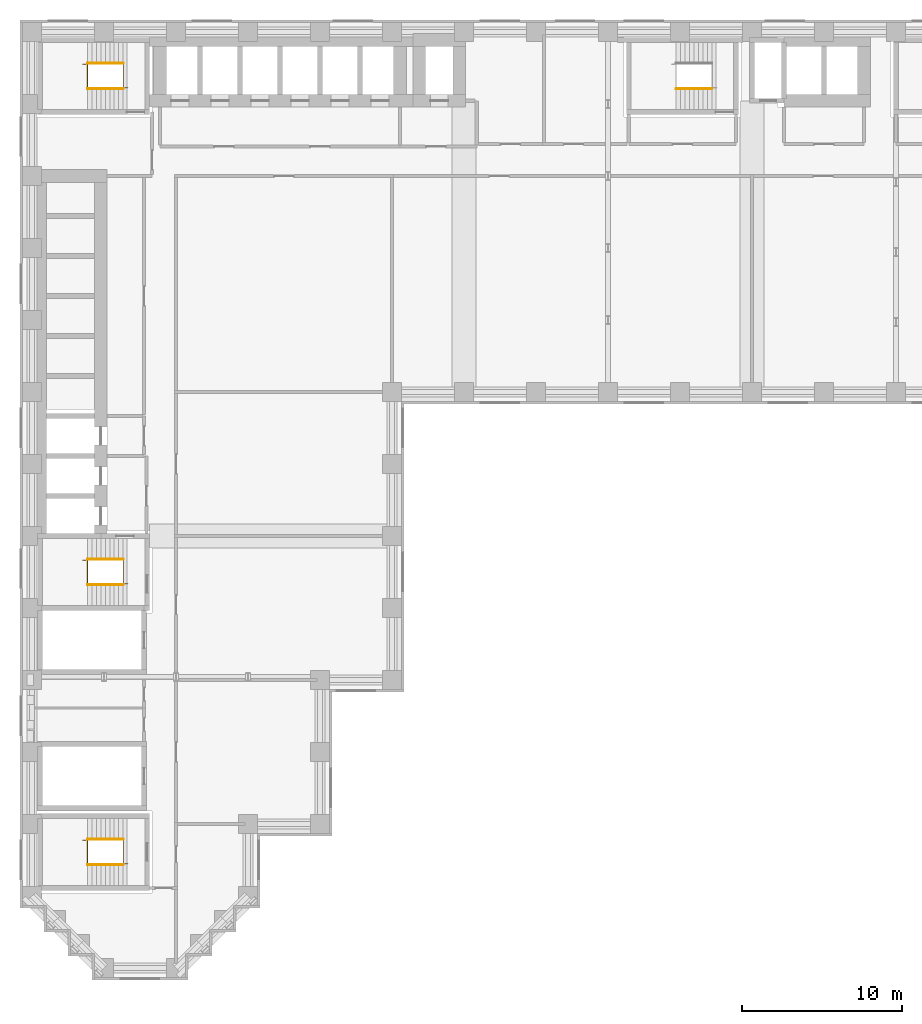
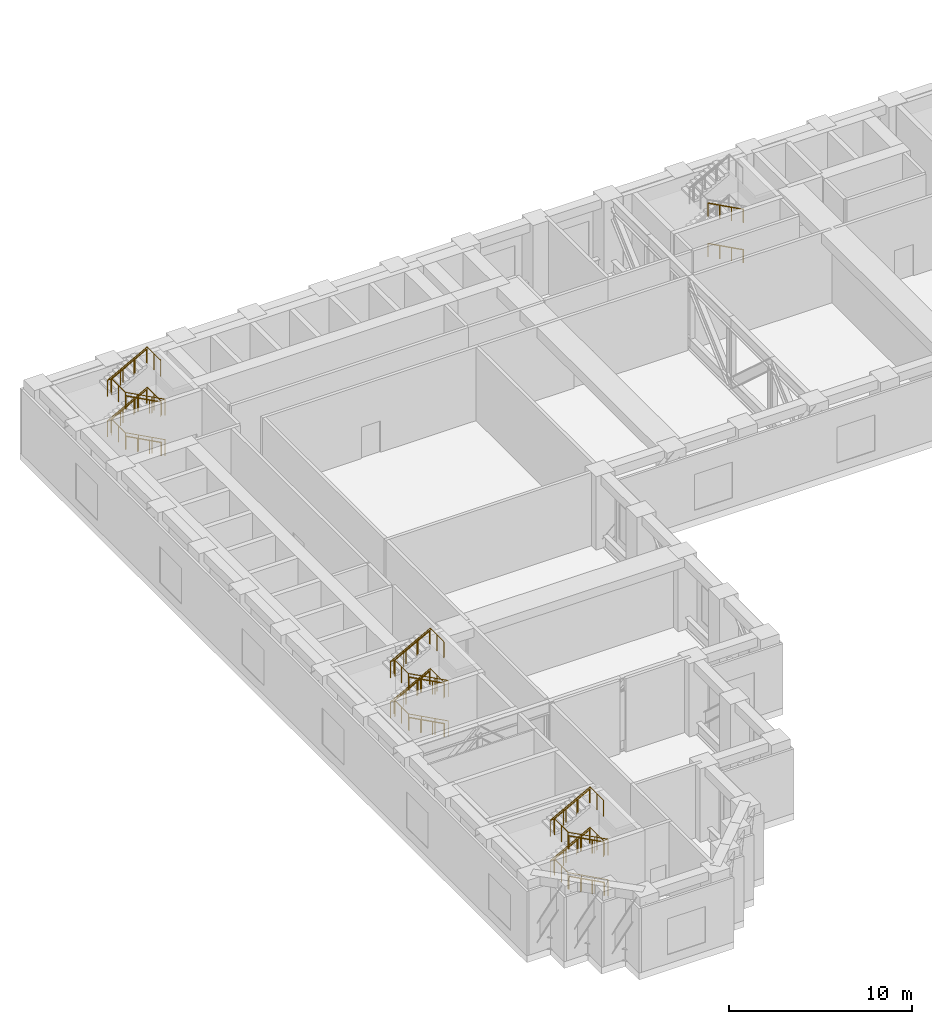
# One storey, part 11 of 13: 17 railings.
"""IFC4 building model written with IfcOpenShell, lengths in metres."""

from ifc_helpers import new_model, si_unit, direction, frame, origin, origin_2d, place, context, subcontext, project, spatial, circle, extrude, material, type_object, element, save


model = new_model("IFC4")

# Units and contexts
model_context = context("Model", 3, precision=1e-05, world=origin(), true_north=direction((0.0, 1.0)))
body_context = subcontext(model_context, "Body", "Model", "MODEL_VIEW")
ifc_project = project(units=[si_unit("LENGTHUNIT", "METRE"), si_unit("AREAUNIT", "SQUARE_METRE"), si_unit("VOLUMEUNIT", "CUBIC_METRE"), si_unit("PLANEANGLEUNIT", "RADIAN"), si_unit("MASSUNIT", "GRAM", prefix="KILO")], contexts=[model_context])

# Site, building, storey
site_placement = place(None, origin())
site = spatial("IfcSite", under=ifc_project, at=site_placement, CompositionType="ELEMENT")
building_placement = place(site_placement, origin())
building = spatial("IfcBuilding", under=site, at=building_placement, Name="Firuza Court", CompositionType="ELEMENT")
storey_placement = place(building_placement, frame((0.0, 0.0, 108.199951171875)))
storey = spatial("IfcBuildingStorey", under=building, at=storey_placement, Name="L27", CompositionType="ELEMENT", Elevation=108.199951171875)

# Railings
ifc_material_1 = material(Name="Steel S355", Category="steel")
railing_type_1 = type_object("IfcRailingType", Name="Handrail 900", PredefinedType="HANDRAIL", material=ifc_material_1)
for number, where, name in (
    (1, (42.5, 54.949951171875, 0.150146484375), "Handrail S1 flight 1"),
    (2, (42.5, 54.949951171875, 2.85009765625), "Handrail S1 flight 3"),
    (3, (5.699951171875, 23.949951171875, 0.150146484375), "Handrail S2 flight 1"),
):
    element("IfcRailing", number, at=place(storey_placement, frame(where)), inside=storey, type_object=railing_type_1, Name=name, PredefinedType="HANDRAIL", context=body_context, shape_type="SweptSolid", body=[
        extrude(circle(Radius=0.02490234375, at=origin_2d()), frame((0.0, 0.0, 0.875), z_axis=(-0.881487111273, 0.0, 0.472208081951), x_axis=(0.0, -1.0, 0.0)), (0.0, 0.0, 1.0), 2.541259765625),
        extrude(circle(Radius=0.02001953125, at=origin_2d()), origin(), (0.0, 0.0, 1.0), 0.849853515625),
        extrude(circle(Radius=0.02001953125, at=origin_2d()), frame((-0.74658203125, 0.0, 0.39990234375)), (0.0, 0.0, 1.0), 0.849853515625),
        extrude(circle(Radius=0.02001953125, at=origin_2d()), frame((-1.493408203125, 0.0, 0.800048828125)), (0.0, 0.0, 1.0), 0.849853515625),
        extrude(circle(Radius=0.02001953125, at=origin_2d()), frame((-2.239990234375, 0.0, 1.199951171875)), (0.0, 0.0, 1.0), 0.849853515625),
    ])
railing_1_placement = place(storey_placement, frame((3.4599609375, 25.550048828125, 1.5)))
element("IfcRailing", 4, at=railing_1_placement, inside=storey, type_object=railing_type_1, Name="Handrail S2 flight 2", PredefinedType="HANDRAIL", context=body_context, shape_type="SweptSolid", body=[
    extrude(circle(Radius=0.02490234375, at=origin_2d()), frame((0.0, 0.0, 0.875), z_axis=(0.881487111273, 0.0, 0.472208081951), x_axis=(0.0, 1.0, 0.0)), (0.0, 0.0, 1.0), 2.541259765625),
    extrude(circle(Radius=0.02001953125, at=origin_2d()), origin(), (0.0, 0.0, 1.0), 0.849853515625),
    extrude(circle(Radius=0.02001953125, at=origin_2d()), frame((0.74658203125, 0.0, 0.39990234375)), (0.0, 0.0, 1.0), 0.849853515625),
    extrude(circle(Radius=0.02001953125, at=origin_2d()), frame((1.493408203125, 0.0, 0.800048828125)), (0.0, 0.0, 1.0), 0.849853515625),
    extrude(circle(Radius=0.02001953125, at=origin_2d()), frame((2.239990234375, 0.0, 1.199951171875)), (0.0, 0.0, 1.0), 0.849853515625),
])
railing_2_placement = place(storey_placement, frame((5.699951171875, 23.949951171875, 2.85009765625)))
element("IfcRailing", 5, at=railing_2_placement, inside=storey, type_object=railing_type_1, Name="Handrail S2 flight 3", PredefinedType="HANDRAIL", context=body_context, shape_type="SweptSolid", body=[
    extrude(circle(Radius=0.02490234375, at=origin_2d()), frame((0.0, 0.0, 0.875), z_axis=(-0.881487111273, 0.0, 0.472208081951), x_axis=(0.0, -1.0, 0.0)), (0.0, 0.0, 1.0), 2.541259765625),
    extrude(circle(Radius=0.02001953125, at=origin_2d()), origin(), (0.0, 0.0, 1.0), 0.849853515625),
    extrude(circle(Radius=0.02001953125, at=origin_2d()), frame((-0.74658203125, 0.0, 0.39990234375)), (0.0, 0.0, 1.0), 0.849853515625),
    extrude(circle(Radius=0.02001953125, at=origin_2d()), frame((-1.493408203125, 0.0, 0.800048828125)), (0.0, 0.0, 1.0), 0.849853515625),
    extrude(circle(Radius=0.02001953125, at=origin_2d()), frame((-2.239990234375, 0.0, 1.199951171875)), (0.0, 0.0, 1.0), 0.849853515625),
])
railing_3_placement = place(storey_placement, frame((3.4599609375, 25.550048828125, 4.199951171875)))
element("IfcRailing", 6, at=railing_3_placement, inside=storey, type_object=railing_type_1, Name="Handrail S2 flight 4", PredefinedType="HANDRAIL", context=body_context, shape_type="SweptSolid", body=[
    extrude(circle(Radius=0.02490234375, at=origin_2d()), frame((0.0, 0.0, 0.875), z_axis=(0.881447119201, 0.0, 0.472282728937), x_axis=(0.0, 1.0, 0.0)), (0.0, 0.0, 1.0), 2.541259765625),
    extrude(circle(Radius=0.02001953125, at=origin_2d()), origin(), (0.0, 0.0, 1.0), 0.849853515625),
    extrude(circle(Radius=0.02001953125, at=origin_2d()), frame((0.74658203125, 0.0, 0.400146484375)), (0.0, 0.0, 1.0), 0.849853515625),
    extrude(circle(Radius=0.02001953125, at=origin_2d()), frame((1.493408203125, 0.0, 0.800048828125)), (0.0, 0.0, 1.0), 0.849853515625),
    extrude(circle(Radius=0.02001953125, at=origin_2d()), frame((2.239990234375, 0.0, 1.2001953125)), (0.0, 0.0, 1.0), 0.849853515625),
])
railing_4_placement = place(storey_placement, frame((5.699951171875, 54.949951171875, 0.150146484375)))
element("IfcRailing", 7, at=railing_4_placement, inside=storey, type_object=railing_type_1, Name="Handrail S3 flight 1", PredefinedType="HANDRAIL", context=body_context, shape_type="SweptSolid", body=[
    extrude(circle(Radius=0.02490234375, at=origin_2d()), frame((0.0, 0.0, 0.875), z_axis=(-0.881487111273, 0.0, 0.472208081951), x_axis=(0.0, -1.0, 0.0)), (0.0, 0.0, 1.0), 2.541259765625),
    extrude(circle(Radius=0.02001953125, at=origin_2d()), origin(), (0.0, 0.0, 1.0), 0.849853515625),
    extrude(circle(Radius=0.02001953125, at=origin_2d()), frame((-0.74658203125, 0.0, 0.39990234375)), (0.0, 0.0, 1.0), 0.849853515625),
    extrude(circle(Radius=0.02001953125, at=origin_2d()), frame((-1.493408203125, 0.0, 0.800048828125)), (0.0, 0.0, 1.0), 0.849853515625),
    extrude(circle(Radius=0.02001953125, at=origin_2d()), frame((-2.239990234375, 0.0, 1.199951171875)), (0.0, 0.0, 1.0), 0.849853515625),
])
railing_5_placement = place(storey_placement, frame((3.4599609375, 56.550048828125, 1.5)))
element("IfcRailing", 8, at=railing_5_placement, inside=storey, type_object=railing_type_1, Name="Handrail S3 flight 2", PredefinedType="HANDRAIL", context=body_context, shape_type="SweptSolid", body=[
    extrude(circle(Radius=0.02490234375, at=origin_2d()), frame((0.0, 0.0, 0.875), z_axis=(0.881487111273, 0.0, 0.472208081951), x_axis=(0.0, 1.0, 0.0)), (0.0, 0.0, 1.0), 2.541259765625),
    extrude(circle(Radius=0.02001953125, at=origin_2d()), origin(), (0.0, 0.0, 1.0), 0.849853515625),
    extrude(circle(Radius=0.02001953125, at=origin_2d()), frame((0.74658203125, 0.0, 0.39990234375)), (0.0, 0.0, 1.0), 0.849853515625),
    extrude(circle(Radius=0.02001953125, at=origin_2d()), frame((1.493408203125, 0.0, 0.800048828125)), (0.0, 0.0, 1.0), 0.849853515625),
    extrude(circle(Radius=0.02001953125, at=origin_2d()), frame((2.239990234375, 0.0, 1.199951171875)), (0.0, 0.0, 1.0), 0.849853515625),
])
railing_6_placement = place(storey_placement, frame((5.699951171875, 54.949951171875, 2.85009765625)))
element("IfcRailing", 9, at=railing_6_placement, inside=storey, type_object=railing_type_1, Name="Handrail S3 flight 3", PredefinedType="HANDRAIL", context=body_context, shape_type="SweptSolid", body=[
    extrude(circle(Radius=0.02490234375, at=origin_2d()), frame((0.0, 0.0, 0.875), z_axis=(-0.881487111273, 0.0, 0.472208081951), x_axis=(0.0, -1.0, 0.0)), (0.0, 0.0, 1.0), 2.541259765625),
    extrude(circle(Radius=0.02001953125, at=origin_2d()), origin(), (0.0, 0.0, 1.0), 0.849853515625),
    extrude(circle(Radius=0.02001953125, at=origin_2d()), frame((-0.74658203125, 0.0, 0.39990234375)), (0.0, 0.0, 1.0), 0.849853515625),
    extrude(circle(Radius=0.02001953125, at=origin_2d()), frame((-1.493408203125, 0.0, 0.800048828125)), (0.0, 0.0, 1.0), 0.849853515625),
    extrude(circle(Radius=0.02001953125, at=origin_2d()), frame((-2.239990234375, 0.0, 1.199951171875)), (0.0, 0.0, 1.0), 0.849853515625),
])
railing_7_placement = place(storey_placement, frame((3.4599609375, 56.550048828125, 4.199951171875)))
element("IfcRailing", 10, at=railing_7_placement, inside=storey, type_object=railing_type_1, Name="Handrail S3 flight 4", PredefinedType="HANDRAIL", context=body_context, shape_type="SweptSolid", body=[
    extrude(circle(Radius=0.02490234375, at=origin_2d()), frame((0.0, 0.0, 0.875), z_axis=(0.881447119201, 0.0, 0.472282728937), x_axis=(0.0, 1.0, 0.0)), (0.0, 0.0, 1.0), 2.541259765625),
    extrude(circle(Radius=0.02001953125, at=origin_2d()), origin(), (0.0, 0.0, 1.0), 0.849853515625),
    extrude(circle(Radius=0.02001953125, at=origin_2d()), frame((0.74658203125, 0.0, 0.400146484375)), (0.0, 0.0, 1.0), 0.849853515625),
    extrude(circle(Radius=0.02001953125, at=origin_2d()), frame((1.493408203125, 0.0, 0.800048828125)), (0.0, 0.0, 1.0), 0.849853515625),
    extrude(circle(Radius=0.02001953125, at=origin_2d()), frame((2.239990234375, 0.0, 1.2001953125)), (0.0, 0.0, 1.0), 0.849853515625),
])
railing_8_placement = place(storey_placement, frame((5.699951171875, 6.449951171875, 0.150146484375)))
element("IfcRailing", 11, at=railing_8_placement, inside=storey, type_object=railing_type_1, Name="Handrail S5 flight 1", PredefinedType="HANDRAIL", context=body_context, shape_type="SweptSolid", body=[
    extrude(circle(Radius=0.02490234375, at=origin_2d()), frame((0.0, 0.0, 0.875), z_axis=(-0.881487111273, 0.0, 0.472208081951), x_axis=(0.0, -1.0, 0.0)), (0.0, 0.0, 1.0), 2.541259765625),
    extrude(circle(Radius=0.02001953125, at=origin_2d()), origin(), (0.0, 0.0, 1.0), 0.849853515625),
    extrude(circle(Radius=0.02001953125, at=origin_2d()), frame((-0.74658203125, 0.0, 0.39990234375)), (0.0, 0.0, 1.0), 0.849853515625),
    extrude(circle(Radius=0.02001953125, at=origin_2d()), frame((-1.493408203125, 0.0, 0.800048828125)), (0.0, 0.0, 1.0), 0.849853515625),
    extrude(circle(Radius=0.02001953125, at=origin_2d()), frame((-2.239990234375, 0.0, 1.199951171875)), (0.0, 0.0, 1.0), 0.849853515625),
])
railing_9_placement = place(storey_placement, frame((3.4599609375, 8.050048828125, 1.5)))
element("IfcRailing", 12, at=railing_9_placement, inside=storey, type_object=railing_type_1, Name="Handrail S5 flight 2", PredefinedType="HANDRAIL", context=body_context, shape_type="SweptSolid", body=[
    extrude(circle(Radius=0.02490234375, at=origin_2d()), frame((0.0, 0.0, 0.875), z_axis=(0.881487111273, 0.0, 0.472208081951), x_axis=(0.0, 1.0, 0.0)), (0.0, 0.0, 1.0), 2.541259765625),
    extrude(circle(Radius=0.02001953125, at=origin_2d()), origin(), (0.0, 0.0, 1.0), 0.849853515625),
    extrude(circle(Radius=0.02001953125, at=origin_2d()), frame((0.74658203125, 0.0, 0.39990234375)), (0.0, 0.0, 1.0), 0.849853515625),
    extrude(circle(Radius=0.02001953125, at=origin_2d()), frame((1.493408203125, 0.0, 0.800048828125)), (0.0, 0.0, 1.0), 0.849853515625),
    extrude(circle(Radius=0.02001953125, at=origin_2d()), frame((2.239990234375, 0.0, 1.199951171875)), (0.0, 0.0, 1.0), 0.849853515625),
])
railing_10_placement = place(storey_placement, frame((5.699951171875, 6.449951171875, 2.85009765625)))
element("IfcRailing", 13, at=railing_10_placement, inside=storey, type_object=railing_type_1, Name="Handrail S5 flight 3", PredefinedType="HANDRAIL", context=body_context, shape_type="SweptSolid", body=[
    extrude(circle(Radius=0.02490234375, at=origin_2d()), frame((0.0, 0.0, 0.875), z_axis=(-0.881487111273, 0.0, 0.472208081951), x_axis=(0.0, -1.0, 0.0)), (0.0, 0.0, 1.0), 2.541259765625),
    extrude(circle(Radius=0.02001953125, at=origin_2d()), origin(), (0.0, 0.0, 1.0), 0.849853515625),
    extrude(circle(Radius=0.02001953125, at=origin_2d()), frame((-0.74658203125, 0.0, 0.39990234375)), (0.0, 0.0, 1.0), 0.849853515625),
    extrude(circle(Radius=0.02001953125, at=origin_2d()), frame((-1.493408203125, 0.0, 0.800048828125)), (0.0, 0.0, 1.0), 0.849853515625),
    extrude(circle(Radius=0.02001953125, at=origin_2d()), frame((-2.239990234375, 0.0, 1.199951171875)), (0.0, 0.0, 1.0), 0.849853515625),
])
railing_11_placement = place(storey_placement, frame((3.4599609375, 8.050048828125, 4.199951171875)))
element("IfcRailing", 14, at=railing_11_placement, inside=storey, type_object=railing_type_1, Name="Handrail S5 flight 4", PredefinedType="HANDRAIL", context=body_context, shape_type="SweptSolid", body=[
    extrude(circle(Radius=0.02490234375, at=origin_2d()), frame((0.0, 0.0, 0.875), z_axis=(0.881447119201, 0.0, 0.472282728937), x_axis=(0.0, 1.0, 0.0)), (0.0, 0.0, 1.0), 2.541259765625),
    extrude(circle(Radius=0.02001953125, at=origin_2d()), origin(), (0.0, 0.0, 1.0), 0.849853515625),
    extrude(circle(Radius=0.02001953125, at=origin_2d()), frame((0.74658203125, 0.0, 0.400146484375)), (0.0, 0.0, 1.0), 0.849853515625),
    extrude(circle(Radius=0.02001953125, at=origin_2d()), frame((1.493408203125, 0.0, 0.800048828125)), (0.0, 0.0, 1.0), 0.849853515625),
    extrude(circle(Radius=0.02001953125, at=origin_2d()), frame((2.239990234375, 0.0, 1.2001953125)), (0.0, 0.0, 1.0), 0.849853515625),
])
ifc_material_2 = material(Name="Steel S355", Category="steel")
railing_type_2 = type_object("IfcRailingType", Name="Stair guard 1100", PredefinedType="GUARDRAIL", material=ifc_material_2)
railing_12_placement = place(storey_placement, frame((5.97998046875, 24.010009765625, 0.0)))
element("IfcRailing", 15, at=railing_12_placement, inside=storey, type_object=railing_type_2, Name="Stair well guard S2", PredefinedType="GUARDRAIL", context=body_context, shape_type="SweptSolid", body=[
    extrude(circle(Radius=0.02490234375, at=origin_2d()), frame((0.0, 0.0, 1.0751953125), z_axis=(-0.881467274426, 0.0, 0.472245110209), x_axis=(0.0, -1.0, 0.0)), (0.0, 0.0, 1.0), 2.85888671875),
    extrude(circle(Radius=0.02490234375, at=origin_2d()), frame((-2.52001953125, 0.0, 2.42529296875), z_axis=(0.0, 1.0, 0.0), x_axis=(-1.0, 0.0, 0.0)), (0.0, 0.0, 1.0), 1.47998046875),
    extrude(circle(Radius=0.02490234375, at=origin_2d()), frame((-2.52001953125, 1.47998046875, 2.42529296875), z_axis=(-1.0, 0.0, 0.0), x_axis=(0.0, -1.0, 0.0)), (0.0, 0.0, 1.0), 0.280029296875),
    extrude(circle(Radius=0.02490234375, at=origin_2d()), frame((-2.800048828125, 1.47998046875, 2.42529296875), z_axis=(0.88150282143, 0.0, 0.472178754087), x_axis=(0.0, 1.0, 0.0)), (0.0, 0.0, 1.0), 2.85888671875),
    extrude(circle(Radius=0.02490234375, at=origin_2d()), frame((-0.280029296875, 1.47998046875, 3.77490234375), z_axis=(0.0, -1.0, 0.0), x_axis=(1.0, 0.0, 0.0)), (0.0, 0.0, 1.0), 1.47998046875),
    extrude(circle(Radius=0.02490234375, at=origin_2d()), frame((-0.280029296875, 0.0, 3.77490234375), z_axis=(1.0, 0.0, 0.0), x_axis=(0.0, 1.0, 0.0)), (0.0, 0.0, 1.0), 0.280029296875),
    extrude(circle(Radius=0.02490234375, at=origin_2d()), frame((0.0, 0.0, 3.77490234375), z_axis=(-0.881467274426, 0.0, 0.472245110209), x_axis=(0.0, -1.0, 0.0)), (0.0, 0.0, 1.0), 2.85888671875),
    extrude(circle(Radius=0.02490234375, at=origin_2d()), frame((-2.52001953125, 0.0, 5.125), z_axis=(0.0, 1.0, 0.0), x_axis=(-1.0, 0.0, 0.0)), (0.0, 0.0, 1.0), 1.47998046875),
    extrude(circle(Radius=0.02490234375, at=origin_2d()), frame((-2.52001953125, 1.47998046875, 5.125), z_axis=(-1.0, 0.0, 0.0), x_axis=(0.0, -1.0, 0.0)), (0.0, 0.0, 1.0), 0.280029296875),
    extrude(circle(Radius=0.02490234375, at=origin_2d()), frame((-2.800048828125, 1.47998046875, 5.125), z_axis=(0.881467274426, 0.0, 0.472245110209), x_axis=(0.0, 1.0, 0.0)), (0.0, 0.0, 1.0), 2.85888671875),
    extrude(circle(Radius=0.02490234375, at=origin_2d()), frame((-0.280029296875, 1.47998046875, 6.47509765625), z_axis=(0.0, -1.0, 0.0), x_axis=(1.0, 0.0, 0.0)), (0.0, 0.0, 1.0), 1.47998046875),
    extrude(circle(Radius=0.02490234375, at=origin_2d()), origin(), (0.0, 0.0, 1.0), 1.050048828125),
    extrude(circle(Radius=0.02490234375, at=origin_2d()), frame((-0.840087890625, 0.0, 0.449951171875)), (0.0, 0.0, 1.0), 1.050048828125),
    extrude(circle(Radius=0.02490234375, at=origin_2d()), frame((-1.679931640625, 0.0, 0.900146484375)), (0.0, 0.0, 1.0), 1.050048828125),
    extrude(circle(Radius=0.02490234375, at=origin_2d()), frame((-2.52001953125, 0.0, 1.35009765625)), (0.0, 0.0, 1.0), 1.050048828125),
    extrude(circle(Radius=0.02490234375, at=origin_2d()), frame((-2.52001953125, 0.739990234375, 1.35009765625)), (0.0, 0.0, 1.0), 1.050048828125),
    extrude(circle(Radius=0.02490234375, at=origin_2d()), frame((-2.52001953125, 1.47998046875, 1.35009765625)), (0.0, 0.0, 1.0), 1.050048828125),
    extrude(circle(Radius=0.02490234375, at=origin_2d()), frame((-2.800048828125, 1.47998046875, 1.35009765625)), (0.0, 0.0, 1.0), 1.050048828125),
    extrude(circle(Radius=0.02490234375, at=origin_2d()), frame((-1.9599609375, 1.47998046875, 1.800048828125)), (0.0, 0.0, 1.0), 1.050048828125),
    extrude(circle(Radius=0.02490234375, at=origin_2d()), frame((-1.1201171875, 1.47998046875, 2.25)), (0.0, 0.0, 1.0), 1.050048828125),
    extrude(circle(Radius=0.02490234375, at=origin_2d()), frame((-0.280029296875, 1.47998046875, 2.699951171875)), (0.0, 0.0, 1.0), 1.050048828125),
    extrude(circle(Radius=0.02490234375, at=origin_2d()), frame((-0.280029296875, 0.739990234375, 2.699951171875)), (0.0, 0.0, 1.0), 1.050048828125),
    extrude(circle(Radius=0.02490234375, at=origin_2d()), frame((-0.280029296875, 0.0, 2.699951171875)), (0.0, 0.0, 1.0), 1.050048828125),
    extrude(circle(Radius=0.02490234375, at=origin_2d()), frame((0.0, 0.0, 2.699951171875)), (0.0, 0.0, 1.0), 1.050048828125),
    extrude(circle(Radius=0.02490234375, at=origin_2d()), frame((-0.840087890625, 0.0, 3.14990234375)), (0.0, 0.0, 1.0), 1.050048828125),
    extrude(circle(Radius=0.02490234375, at=origin_2d()), frame((-1.679931640625, 0.0, 3.60009765625)), (0.0, 0.0, 1.0), 1.050048828125),
    extrude(circle(Radius=0.02490234375, at=origin_2d()), frame((-2.52001953125, 0.0, 4.050048828125)), (0.0, 0.0, 1.0), 1.050048828125),
    extrude(circle(Radius=0.02490234375, at=origin_2d()), frame((-2.52001953125, 0.739990234375, 4.050048828125)), (0.0, 0.0, 1.0), 1.050048828125),
    extrude(circle(Radius=0.02490234375, at=origin_2d()), frame((-2.52001953125, 1.47998046875, 4.050048828125)), (0.0, 0.0, 1.0), 1.050048828125),
    extrude(circle(Radius=0.02490234375, at=origin_2d()), frame((-2.800048828125, 1.47998046875, 4.050048828125)), (0.0, 0.0, 1.0), 1.050048828125),
    extrude(circle(Radius=0.02490234375, at=origin_2d()), frame((-1.9599609375, 1.47998046875, 4.5)), (0.0, 0.0, 1.0), 1.050048828125),
    extrude(circle(Radius=0.02490234375, at=origin_2d()), frame((-1.1201171875, 1.47998046875, 4.9501953125)), (0.0, 0.0, 1.0), 1.050048828125),
    extrude(circle(Radius=0.02490234375, at=origin_2d()), frame((-0.280029296875, 1.47998046875, 5.400146484375)), (0.0, 0.0, 1.0), 1.050048828125),
    extrude(circle(Radius=0.02490234375, at=origin_2d()), frame((-0.280029296875, 0.739990234375, 5.400146484375)), (0.0, 0.0, 1.0), 1.050048828125),
    extrude(circle(Radius=0.02490234375, at=origin_2d()), frame((-0.280029296875, 0.0, 5.400146484375)), (0.0, 0.0, 1.0), 1.050048828125),
])
railing_13_placement = place(storey_placement, frame((5.97998046875, 55.010009765625, 0.0)))
element("IfcRailing", 16, at=railing_13_placement, inside=storey, type_object=railing_type_2, Name="Stair well guard S3", PredefinedType="GUARDRAIL", context=body_context, shape_type="SweptSolid", body=[
    extrude(circle(Radius=0.02490234375, at=origin_2d()), frame((0.0, 0.0, 1.0751953125), z_axis=(-0.881467274426, 0.0, 0.472245110209), x_axis=(0.0, -1.0, 0.0)), (0.0, 0.0, 1.0), 2.85888671875),
    extrude(circle(Radius=0.02490234375, at=origin_2d()), frame((-2.52001953125, 0.0, 2.42529296875), z_axis=(0.0, 1.0, 0.0), x_axis=(-1.0, 0.0, 0.0)), (0.0, 0.0, 1.0), 1.47998046875),
    extrude(circle(Radius=0.02490234375, at=origin_2d()), frame((-2.52001953125, 1.47998046875, 2.42529296875), z_axis=(-1.0, 0.0, 0.0), x_axis=(0.0, -1.0, 0.0)), (0.0, 0.0, 1.0), 0.280029296875),
    extrude(circle(Radius=0.02490234375, at=origin_2d()), frame((-2.800048828125, 1.47998046875, 2.42529296875), z_axis=(0.88150282143, 0.0, 0.472178754087), x_axis=(0.0, 1.0, 0.0)), (0.0, 0.0, 1.0), 2.85888671875),
    extrude(circle(Radius=0.02490234375, at=origin_2d()), frame((-0.280029296875, 1.47998046875, 3.77490234375), z_axis=(0.0, -1.0, 0.0), x_axis=(1.0, 0.0, 0.0)), (0.0, 0.0, 1.0), 1.47998046875),
    extrude(circle(Radius=0.02490234375, at=origin_2d()), frame((-0.280029296875, 0.0, 3.77490234375), z_axis=(1.0, 0.0, 0.0), x_axis=(0.0, 1.0, 0.0)), (0.0, 0.0, 1.0), 0.280029296875),
    extrude(circle(Radius=0.02490234375, at=origin_2d()), frame((0.0, 0.0, 3.77490234375), z_axis=(-0.881467274426, 0.0, 0.472245110209), x_axis=(0.0, -1.0, 0.0)), (0.0, 0.0, 1.0), 2.85888671875),
    extrude(circle(Radius=0.02490234375, at=origin_2d()), frame((-2.52001953125, 0.0, 5.125), z_axis=(0.0, 1.0, 0.0), x_axis=(-1.0, 0.0, 0.0)), (0.0, 0.0, 1.0), 1.47998046875),
    extrude(circle(Radius=0.02490234375, at=origin_2d()), frame((-2.52001953125, 1.47998046875, 5.125), z_axis=(-1.0, 0.0, 0.0), x_axis=(0.0, -1.0, 0.0)), (0.0, 0.0, 1.0), 0.280029296875),
    extrude(circle(Radius=0.02490234375, at=origin_2d()), frame((-2.800048828125, 1.47998046875, 5.125), z_axis=(0.881467274426, 0.0, 0.472245110209), x_axis=(0.0, 1.0, 0.0)), (0.0, 0.0, 1.0), 2.85888671875),
    extrude(circle(Radius=0.02490234375, at=origin_2d()), frame((-0.280029296875, 1.47998046875, 6.47509765625), z_axis=(0.0, -1.0, 0.0), x_axis=(1.0, 0.0, 0.0)), (0.0, 0.0, 1.0), 1.47998046875),
    extrude(circle(Radius=0.02490234375, at=origin_2d()), origin(), (0.0, 0.0, 1.0), 1.050048828125),
    extrude(circle(Radius=0.02490234375, at=origin_2d()), frame((-0.840087890625, 0.0, 0.449951171875)), (0.0, 0.0, 1.0), 1.050048828125),
    extrude(circle(Radius=0.02490234375, at=origin_2d()), frame((-1.679931640625, 0.0, 0.900146484375)), (0.0, 0.0, 1.0), 1.050048828125),
    extrude(circle(Radius=0.02490234375, at=origin_2d()), frame((-2.52001953125, 0.0, 1.35009765625)), (0.0, 0.0, 1.0), 1.050048828125),
    extrude(circle(Radius=0.02490234375, at=origin_2d()), frame((-2.52001953125, 0.739990234375, 1.35009765625)), (0.0, 0.0, 1.0), 1.050048828125),
    extrude(circle(Radius=0.02490234375, at=origin_2d()), frame((-2.52001953125, 1.47998046875, 1.35009765625)), (0.0, 0.0, 1.0), 1.050048828125),
    extrude(circle(Radius=0.02490234375, at=origin_2d()), frame((-2.800048828125, 1.47998046875, 1.35009765625)), (0.0, 0.0, 1.0), 1.050048828125),
    extrude(circle(Radius=0.02490234375, at=origin_2d()), frame((-1.9599609375, 1.47998046875, 1.800048828125)), (0.0, 0.0, 1.0), 1.050048828125),
    extrude(circle(Radius=0.02490234375, at=origin_2d()), frame((-1.1201171875, 1.47998046875, 2.25)), (0.0, 0.0, 1.0), 1.050048828125),
    extrude(circle(Radius=0.02490234375, at=origin_2d()), frame((-0.280029296875, 1.47998046875, 2.699951171875)), (0.0, 0.0, 1.0), 1.050048828125),
    extrude(circle(Radius=0.02490234375, at=origin_2d()), frame((-0.280029296875, 0.739990234375, 2.699951171875)), (0.0, 0.0, 1.0), 1.050048828125),
    extrude(circle(Radius=0.02490234375, at=origin_2d()), frame((-0.280029296875, 0.0, 2.699951171875)), (0.0, 0.0, 1.0), 1.050048828125),
    extrude(circle(Radius=0.02490234375, at=origin_2d()), frame((0.0, 0.0, 2.699951171875)), (0.0, 0.0, 1.0), 1.050048828125),
    extrude(circle(Radius=0.02490234375, at=origin_2d()), frame((-0.840087890625, 0.0, 3.14990234375)), (0.0, 0.0, 1.0), 1.050048828125),
    extrude(circle(Radius=0.02490234375, at=origin_2d()), frame((-1.679931640625, 0.0, 3.60009765625)), (0.0, 0.0, 1.0), 1.050048828125),
    extrude(circle(Radius=0.02490234375, at=origin_2d()), frame((-2.52001953125, 0.0, 4.050048828125)), (0.0, 0.0, 1.0), 1.050048828125),
    extrude(circle(Radius=0.02490234375, at=origin_2d()), frame((-2.52001953125, 0.739990234375, 4.050048828125)), (0.0, 0.0, 1.0), 1.050048828125),
    extrude(circle(Radius=0.02490234375, at=origin_2d()), frame((-2.52001953125, 1.47998046875, 4.050048828125)), (0.0, 0.0, 1.0), 1.050048828125),
    extrude(circle(Radius=0.02490234375, at=origin_2d()), frame((-2.800048828125, 1.47998046875, 4.050048828125)), (0.0, 0.0, 1.0), 1.050048828125),
    extrude(circle(Radius=0.02490234375, at=origin_2d()), frame((-1.9599609375, 1.47998046875, 4.5)), (0.0, 0.0, 1.0), 1.050048828125),
    extrude(circle(Radius=0.02490234375, at=origin_2d()), frame((-1.1201171875, 1.47998046875, 4.9501953125)), (0.0, 0.0, 1.0), 1.050048828125),
    extrude(circle(Radius=0.02490234375, at=origin_2d()), frame((-0.280029296875, 1.47998046875, 5.400146484375)), (0.0, 0.0, 1.0), 1.050048828125),
    extrude(circle(Radius=0.02490234375, at=origin_2d()), frame((-0.280029296875, 0.739990234375, 5.400146484375)), (0.0, 0.0, 1.0), 1.050048828125),
    extrude(circle(Radius=0.02490234375, at=origin_2d()), frame((-0.280029296875, 0.0, 5.400146484375)), (0.0, 0.0, 1.0), 1.050048828125),
])
railing_14_placement = place(storey_placement, frame((5.97998046875, 6.510009765625, 0.0)))
element("IfcRailing", 17, at=railing_14_placement, inside=storey, type_object=railing_type_2, Name="Stair well guard S5", PredefinedType="GUARDRAIL", context=body_context, shape_type="SweptSolid", body=[
    extrude(circle(Radius=0.02490234375, at=origin_2d()), frame((0.0, 0.0, 1.0751953125), z_axis=(-0.881467274426, 0.0, 0.472245110209), x_axis=(0.0, -1.0, 0.0)), (0.0, 0.0, 1.0), 2.85888671875),
    extrude(circle(Radius=0.02490234375, at=origin_2d()), frame((-2.52001953125, 0.0, 2.42529296875), z_axis=(0.0, 1.0, 0.0), x_axis=(-1.0, 0.0, 0.0)), (0.0, 0.0, 1.0), 1.47998046875),
    extrude(circle(Radius=0.02490234375, at=origin_2d()), frame((-2.52001953125, 1.47998046875, 2.42529296875), z_axis=(-1.0, 0.0, 0.0), x_axis=(0.0, -1.0, 0.0)), (0.0, 0.0, 1.0), 0.280029296875),
    extrude(circle(Radius=0.02490234375, at=origin_2d()), frame((-2.800048828125, 1.47998046875, 2.42529296875), z_axis=(0.88150282143, 0.0, 0.472178754087), x_axis=(0.0, 1.0, 0.0)), (0.0, 0.0, 1.0), 2.85888671875),
    extrude(circle(Radius=0.02490234375, at=origin_2d()), frame((-0.280029296875, 1.47998046875, 3.77490234375), z_axis=(0.0, -1.0, 0.0), x_axis=(1.0, 0.0, 0.0)), (0.0, 0.0, 1.0), 1.47998046875),
    extrude(circle(Radius=0.02490234375, at=origin_2d()), frame((-0.280029296875, 0.0, 3.77490234375), z_axis=(1.0, 0.0, 0.0), x_axis=(0.0, 1.0, 0.0)), (0.0, 0.0, 1.0), 0.280029296875),
    extrude(circle(Radius=0.02490234375, at=origin_2d()), frame((0.0, 0.0, 3.77490234375), z_axis=(-0.881467274426, 0.0, 0.472245110209), x_axis=(0.0, -1.0, 0.0)), (0.0, 0.0, 1.0), 2.85888671875),
    extrude(circle(Radius=0.02490234375, at=origin_2d()), frame((-2.52001953125, 0.0, 5.125), z_axis=(0.0, 1.0, 0.0), x_axis=(-1.0, 0.0, 0.0)), (0.0, 0.0, 1.0), 1.47998046875),
    extrude(circle(Radius=0.02490234375, at=origin_2d()), frame((-2.52001953125, 1.47998046875, 5.125), z_axis=(-1.0, 0.0, 0.0), x_axis=(0.0, -1.0, 0.0)), (0.0, 0.0, 1.0), 0.280029296875),
    extrude(circle(Radius=0.02490234375, at=origin_2d()), frame((-2.800048828125, 1.47998046875, 5.125), z_axis=(0.881467274426, 0.0, 0.472245110209), x_axis=(0.0, 1.0, 0.0)), (0.0, 0.0, 1.0), 2.85888671875),
    extrude(circle(Radius=0.02490234375, at=origin_2d()), frame((-0.280029296875, 1.47998046875, 6.47509765625), z_axis=(0.0, -1.0, 0.0), x_axis=(1.0, 0.0, 0.0)), (0.0, 0.0, 1.0), 1.47998046875),
    extrude(circle(Radius=0.02490234375, at=origin_2d()), origin(), (0.0, 0.0, 1.0), 1.050048828125),
    extrude(circle(Radius=0.02490234375, at=origin_2d()), frame((-0.840087890625, 0.0, 0.449951171875)), (0.0, 0.0, 1.0), 1.050048828125),
    extrude(circle(Radius=0.02490234375, at=origin_2d()), frame((-1.679931640625, 0.0, 0.900146484375)), (0.0, 0.0, 1.0), 1.050048828125),
    extrude(circle(Radius=0.02490234375, at=origin_2d()), frame((-2.52001953125, 0.0, 1.35009765625)), (0.0, 0.0, 1.0), 1.050048828125),
    extrude(circle(Radius=0.02490234375, at=origin_2d()), frame((-2.52001953125, 0.739990234375, 1.35009765625)), (0.0, 0.0, 1.0), 1.050048828125),
    extrude(circle(Radius=0.02490234375, at=origin_2d()), frame((-2.52001953125, 1.47998046875, 1.35009765625)), (0.0, 0.0, 1.0), 1.050048828125),
    extrude(circle(Radius=0.02490234375, at=origin_2d()), frame((-2.800048828125, 1.47998046875, 1.35009765625)), (0.0, 0.0, 1.0), 1.050048828125),
    extrude(circle(Radius=0.02490234375, at=origin_2d()), frame((-1.9599609375, 1.47998046875, 1.800048828125)), (0.0, 0.0, 1.0), 1.050048828125),
    extrude(circle(Radius=0.02490234375, at=origin_2d()), frame((-1.1201171875, 1.47998046875, 2.25)), (0.0, 0.0, 1.0), 1.050048828125),
    extrude(circle(Radius=0.02490234375, at=origin_2d()), frame((-0.280029296875, 1.47998046875, 2.699951171875)), (0.0, 0.0, 1.0), 1.050048828125),
    extrude(circle(Radius=0.02490234375, at=origin_2d()), frame((-0.280029296875, 0.739990234375, 2.699951171875)), (0.0, 0.0, 1.0), 1.050048828125),
    extrude(circle(Radius=0.02490234375, at=origin_2d()), frame((-0.280029296875, 0.0, 2.699951171875)), (0.0, 0.0, 1.0), 1.050048828125),
    extrude(circle(Radius=0.02490234375, at=origin_2d()), frame((0.0, 0.0, 2.699951171875)), (0.0, 0.0, 1.0), 1.050048828125),
    extrude(circle(Radius=0.02490234375, at=origin_2d()), frame((-0.840087890625, 0.0, 3.14990234375)), (0.0, 0.0, 1.0), 1.050048828125),
    extrude(circle(Radius=0.02490234375, at=origin_2d()), frame((-1.679931640625, 0.0, 3.60009765625)), (0.0, 0.0, 1.0), 1.050048828125),
    extrude(circle(Radius=0.02490234375, at=origin_2d()), frame((-2.52001953125, 0.0, 4.050048828125)), (0.0, 0.0, 1.0), 1.050048828125),
    extrude(circle(Radius=0.02490234375, at=origin_2d()), frame((-2.52001953125, 0.739990234375, 4.050048828125)), (0.0, 0.0, 1.0), 1.050048828125),
    extrude(circle(Radius=0.02490234375, at=origin_2d()), frame((-2.52001953125, 1.47998046875, 4.050048828125)), (0.0, 0.0, 1.0), 1.050048828125),
    extrude(circle(Radius=0.02490234375, at=origin_2d()), frame((-2.800048828125, 1.47998046875, 4.050048828125)), (0.0, 0.0, 1.0), 1.050048828125),
    extrude(circle(Radius=0.02490234375, at=origin_2d()), frame((-1.9599609375, 1.47998046875, 4.5)), (0.0, 0.0, 1.0), 1.050048828125),
    extrude(circle(Radius=0.02490234375, at=origin_2d()), frame((-1.1201171875, 1.47998046875, 4.9501953125)), (0.0, 0.0, 1.0), 1.050048828125),
    extrude(circle(Radius=0.02490234375, at=origin_2d()), frame((-0.280029296875, 1.47998046875, 5.400146484375)), (0.0, 0.0, 1.0), 1.050048828125),
    extrude(circle(Radius=0.02490234375, at=origin_2d()), frame((-0.280029296875, 0.739990234375, 5.400146484375)), (0.0, 0.0, 1.0), 1.050048828125),
    extrude(circle(Radius=0.02490234375, at=origin_2d()), frame((-0.280029296875, 0.0, 5.400146484375)), (0.0, 0.0, 1.0), 1.050048828125),
])

save(model, "model.ifc")
